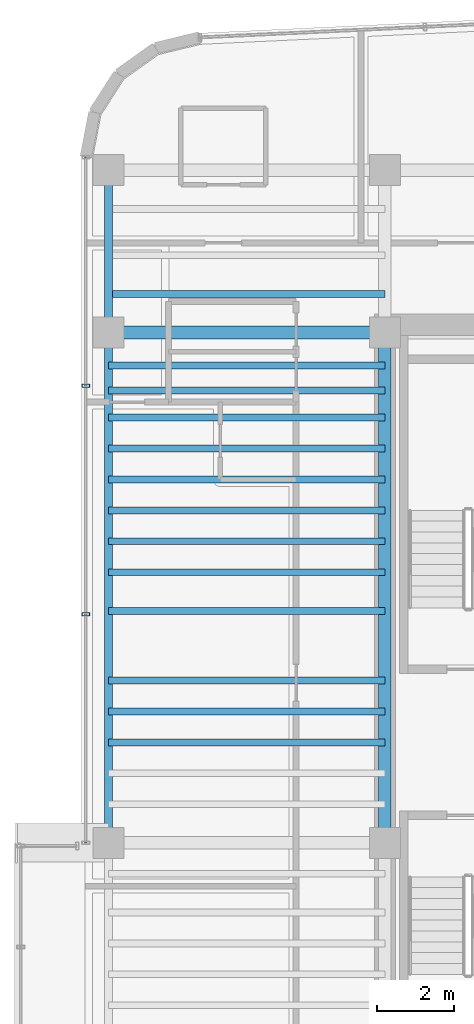
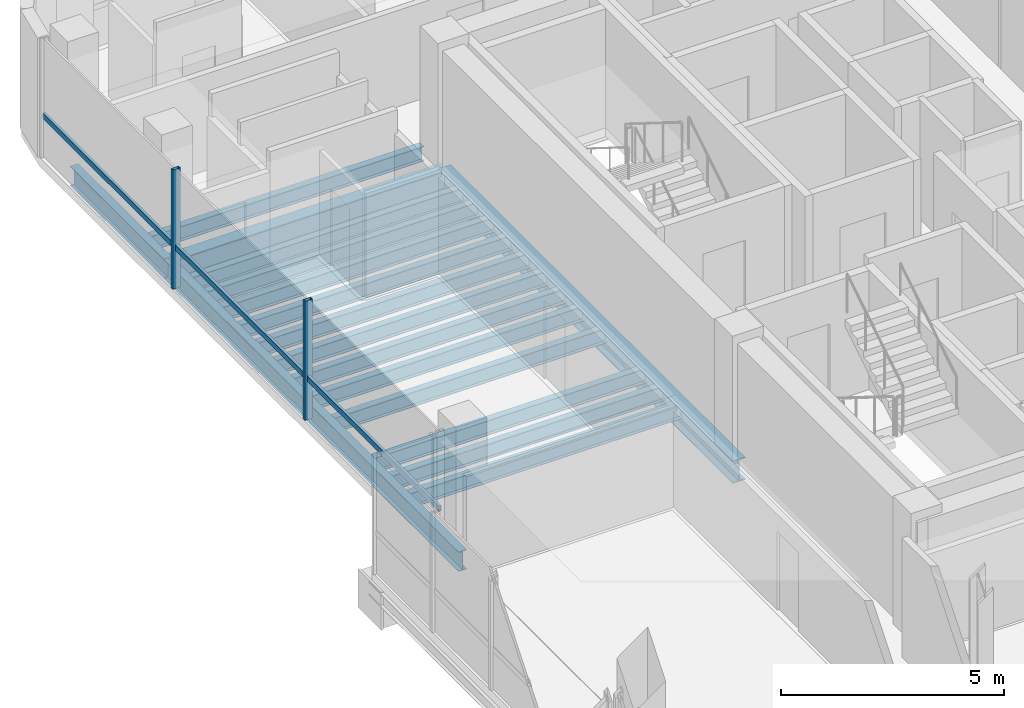
# One storey, part 6 of 19: 17 beams, 3 members, 1 element without a shape of its own.
"""IFC4 building model written with IfcOpenShell, lengths in metres."""

from ifc_helpers import new_model, si_unit, direction, frame, origin, origin_2d, place, context, subcontext, project, spatial, hollow_rectangle, i_section, extrude, source, transform, mapped, material, material_profile, profile_set, type_object, element, aggregate, save


model = new_model("IFC4")

# Units and contexts
model_context = context("Model", 3, precision=1e-05, world=origin(), true_north=direction((0.0, 1.0)))
body_context = subcontext(model_context, "Body", "Model", "MODEL_VIEW")
ifc_project = project(units=[si_unit("LENGTHUNIT", "METRE"), si_unit("AREAUNIT", "SQUARE_METRE"), si_unit("VOLUMEUNIT", "CUBIC_METRE"), si_unit("PLANEANGLEUNIT", "RADIAN"), si_unit("MASSUNIT", "GRAM", prefix="KILO")], contexts=[model_context])

# Site, building, storey
site_placement = place(None, origin())
site = spatial("IfcSite", under=ifc_project, at=site_placement, CompositionType="ELEMENT")
building_placement = place(site_placement, origin())
building = spatial("IfcBuilding", under=site, at=building_placement, Name="Valdorenza Pilgrim Sanctuary Tower", CompositionType="ELEMENT")
storey_placement = place(building_placement, frame((0.0, 0.0, 266.0)))
storey = spatial("IfcBuildingStorey", under=building, at=storey_placement, Name="L69", CompositionType="ELEMENT", Elevation=266.0)

# Beams
ifc_material_1 = material(Name="Steel ASTM A992 Grade 50", Category="steel")
ifc_material_profile_1 = material_profile(ifc_material_1, i_section(OverallWidth=0.323974609375, OverallDepth=0.611083984375, WebThickness=0.0126953125, FlangeThickness=0.01904296875, at=origin_2d()), Name="W24X104")
ifc_profile_set_1 = profile_set([ifc_material_profile_1], Name="Steel ASTM A992 Grade 50")
beam_type_1 = type_object("IfcBeamType", Name="STR-BM-GRD-W24B", PredefinedType="BEAM", material=ifc_profile_set_1)
shared_shape_1 = source(origin(), body_context, "Body", "SweptSolid", [
    extrude(i_section(OverallWidth=0.323974609375, OverallDepth=0.611083984375, WebThickness=0.0126953125, FlangeThickness=0.01904296875, at=origin_2d()), origin(), (0.0, 0.0, 1.0), 13.2001953125),
])
beam_1_placement = place(storey_placement, frame((-22.64990234375, -2.60009765625, -0.54541015625), z_axis=(0.0, 1.0, 0.0), x_axis=(-1.0, 0.0, 0.0)))
element("IfcBeam", 1, at=beam_1_placement, inside=storey, type_object=beam_type_1, Name="L69 Core Tie Girder CA-W-M0N1", PredefinedType="BEAM", context=body_context, shape_type="MappedRepresentation", body=[
    mapped(shared_shape_1, transform((0.0, 0.0, 0.0), x_axis=(1.0, 0.0, 0.0), y_axis=(0.0, 1.0, 0.0), z_axis=(0.0, 0.0, 1.0), scale=1.0)),
])
ifc_material_profile_2 = material_profile(ifc_material_1, i_section(OverallWidth=0.2109375, OverallDepth=0.5390625, WebThickness=0.01171875, FlangeThickness=0.018798828125, at=origin_2d()), Name="W21X73")
ifc_profile_set_2 = profile_set([ifc_material_profile_2], Name="Steel ASTM A992 Grade 50")
beam_type_2 = type_object("IfcBeamType", Name="STR-BM-SPN-W21B", PredefinedType="SPANDREL", material=ifc_profile_set_2)
shared_shape_2 = source(origin(), body_context, "Body", "SweptSolid", [
    extrude(i_section(OverallWidth=0.2109375, OverallDepth=0.5390625, WebThickness=0.01171875, FlangeThickness=0.018798828125, at=origin_2d()), origin(), (0.0, 0.0, 1.0), 13.2001953125),
])
beam_2_placement = place(storey_placement, frame((-29.800048828125, -2.60009765625, -0.509521484375), z_axis=(0.0, 1.0, 0.0), x_axis=(-1.0, 0.0, 0.0)))
element("IfcBeam", 2, at=beam_2_placement, inside=storey, type_object=beam_type_2, Name="L69 Spandrel Beam WA-W-M0N1", PredefinedType="SPANDREL", context=body_context, shape_type="MappedRepresentation", body=[
    mapped(shared_shape_2, transform((0.0, 0.0, 0.0), x_axis=(1.0, 0.0, 0.0), y_axis=(0.0, 1.0, 0.0), z_axis=(0.0, 0.0, 1.0), scale=1.0)),
])
shared_shape_3 = source(origin(), body_context, "Body", "SweptSolid", [
    extrude(i_section(OverallWidth=0.2109375, OverallDepth=0.5390625, WebThickness=0.01171875, FlangeThickness=0.018798828125, at=origin_2d()), origin(), (0.0, 0.0, 1.0), 4.199951171875),
])
beam_3_placement = place(storey_placement, frame((-29.800048828125, 10.60009765625, -0.509521484375), z_axis=(0.0, 1.0, 0.0), x_axis=(-1.0, 0.0, 0.0)))
element("IfcBeam", 3, at=beam_3_placement, inside=storey, type_object=beam_type_2, Name="L69 Spandrel Beam WA-W-N1N2", PredefinedType="SPANDREL", context=body_context, shape_type="MappedRepresentation", body=[
    mapped(shared_shape_3, transform((0.0, 0.0, 0.0), x_axis=(1.0, 0.0, 0.0), y_axis=(0.0, 1.0, 0.0), z_axis=(0.0, 0.0, 1.0), scale=1.0)),
])
ifc_material_profile_3 = material_profile(ifc_material_1, i_section(OverallWidth=0.177978515625, OverallDepth=0.406005859375, WebThickness=0.0078125, FlangeThickness=0.0126953125, at=origin_2d()), Name="W16X40")
ifc_profile_set_3 = profile_set([ifc_material_profile_3], Name="Steel ASTM A992 Grade 50")
beam_type_3 = type_object("IfcBeamType", Name="STR-BM-JST-W16", PredefinedType="JOIST", material=ifc_profile_set_3)
shared_shape_4 = source(origin(), body_context, "Body", "SweptSolid", [
    extrude(i_section(OverallWidth=0.177978515625, OverallDepth=0.406005859375, WebThickness=0.0078125, FlangeThickness=0.0126953125, at=origin_2d()), origin(), (0.0, 0.0, 1.0), 7.150146484375),
])
for number, where, z_axis, x_axis, name in (
    (4, (-29.800048828125, 0.0, -0.443115234375), (1.0, 0.0, 0.0), (0.0, 1.0, 0.0), "L69 Composite Floor Joist JST-WA-12"),
    (5, (-29.800048828125, 0.800048828125, -0.443115234375), (1.0, 0.0, 0.0), (0.0, 1.0, 0.0), "L69 Composite Floor Joist JST-WA-13"),
    (6, (-29.800048828125, 1.60009765625, -0.443115234375), (1.0, 0.0, 0.0), (0.0, 1.0, 0.0), "L69 Composite Floor Joist JST-WA-14"),
    (7, (-29.800048828125, 3.39990234375, -0.443115234375), (1.0, 0.0, 0.0), (0.0, 1.0, 0.0), "L69 Composite Floor Joist JST-WA-15"),
    (8, (-29.800048828125, 4.39990234375, -0.443115234375), (1.0, 0.0, 0.0), (0.0, 1.0, 0.0), "L69 Composite Floor Joist JST-WA-16"),
    (9, (-29.800048828125, 5.199951171875, -0.443115234375), (1.0, 0.0, 0.0), (0.0, 1.0, 0.0), "L69 Composite Floor Joist JST-WA-17"),
    (10, (-29.800048828125, 6.0, -0.443115234375), (1.0, 0.0, 0.0), (0.0, 1.0, 0.0), "L69 Composite Floor Joist JST-WA-18"),
    (11, (-29.800048828125, 6.800048828125, -0.443115234375), (1.0, 0.0, 0.0), (0.0, 1.0, 0.0), "L69 Composite Floor Joist JST-WA-19"),
    (12, (-29.800048828125, 7.60009765625, -0.443115234375), (1.0, 0.0, 0.0), (0.0, 1.0, 0.0), "L69 Composite Floor Joist JST-WA-20"),
    (13, (-29.800048828125, 8.39990234375, -0.443115234375), (1.0, 0.0, 0.0), (0.0, 1.0, 0.0), "L69 Composite Floor Joist JST-WA-21"),
    (14, (-29.800048828125, 9.10009765625, -0.443115234375), (1.0, 0.0, 0.0), (0.0, 1.0, 0.0), "L69 Composite Floor Joist JST-WA-22"),
    (15, (-29.800048828125, 9.75, -0.443115234375), (1.0, 0.0, 0.0), (0.0, 1.0, 0.0), "L69 Composite Floor Joist JST-WA-23"),
    (16, (-29.800048828125, 11.60009765625, -0.443115234375), (1.0, 0.0, 0.0), (0.0, 1.0, 0.0), "L69 Composite Floor Joist JST-WA-24"),
):
    element("IfcBeam", number, at=place(storey_placement, frame(where, z_axis=z_axis, x_axis=x_axis)), inside=storey, type_object=beam_type_3, Name=name, PredefinedType="JOIST", context=body_context, shape_type="MappedRepresentation", body=[
        mapped(shared_shape_4, transform((0.0, 0.0, 0.0), x_axis=(1.0, 0.0, 0.0), y_axis=(0.0, 1.0, 0.0), z_axis=(0.0, 0.0, 1.0), scale=1.0)),
    ])
ifc_material_profile_4 = material_profile(ifc_material_1, i_section(OverallWidth=0.326904296875, OverallDepth=0.6220703125, WebThickness=0.015380859375, FlangeThickness=0.0244140625, at=origin_2d()), Name="W24X131")
ifc_profile_set_4 = profile_set([ifc_material_profile_4], Name="Steel ASTM A992 Grade 50")
beam_type_4 = type_object("IfcBeamType", Name="STR-BM-GRD-W24A", PredefinedType="BEAM", material=ifc_profile_set_4)
shared_shape_5 = source(origin(), body_context, "Body", "SweptSolid", [
    extrude(i_section(OverallWidth=0.326904296875, OverallDepth=0.6220703125, WebThickness=0.015380859375, FlangeThickness=0.0244140625, at=origin_2d()), origin(), (0.0, 0.0, 1.0), 7.150146484375),
])
beam_4_placement = place(storey_placement, frame((-29.800048828125, 10.60009765625, -0.551025390625), z_axis=(1.0, 0.0, 0.0), x_axis=(0.0, 1.0, 0.0)))
element("IfcBeam", 17, at=beam_4_placement, inside=storey, type_object=beam_type_4, Name="L69 Floor Girder WA-XW-N1", PredefinedType="BEAM", context=body_context, shape_type="MappedRepresentation", body=[
    mapped(shared_shape_5, transform((0.0, 0.0, 0.0), x_axis=(1.0, 0.0, 0.0), y_axis=(0.0, 1.0, 0.0), z_axis=(0.0, 0.0, 1.0), scale=1.0)),
])

# Curtain wall, members
ifc_material_2 = material(Name="Curtain-wall IGU glazing", Category="glass")
curtain_wall_type = type_object("IfcCurtainWallType", Name="CW-SYS-02", PredefinedType="NOTDEFINED", material=ifc_material_2)
curtain_wall_placement = place(storey_placement, origin())
curtain_wall = element("IfcCurtainWall", 18, at=curtain_wall_placement, inside=storey, type_object=curtain_wall_type, Name="L69 Curtain Wall CW-L69-1-1S2", PredefinedType="NOTDEFINED")
ifc_material_3 = material(Name="Anodised aluminium AW-6060", Category="aluminium")
ifc_material_profile_5 = material_profile(ifc_material_3, hollow_rectangle(XDim=0.0849609375, YDim=0.199951171875, WallThickness=0.0048828125, at=origin_2d()), Name="ALU-M 200x85x5")
ifc_profile_set_5 = profile_set([ifc_material_profile_5], Name="Anodised aluminium AW-6060")
member_type_1 = type_object("IfcMemberType", Name="CW-MUL-02", PredefinedType="MULLION", material=ifc_profile_set_5)
shared_shape_6 = source(origin(), body_context, "Body", "SweptSolid", [
    extrude(hollow_rectangle(XDim=0.0849609375, YDim=0.199951171875, WallThickness=0.0048828125, at=origin_2d()), origin(), (0.0, 0.0, 1.0), 3.260009765625),
])
member_1_placement = place(storey_placement, frame((-30.389892578125, 3.312255859375, 0.0), z_axis=(0.0, 0.0, 1.0), x_axis=(0.0, 1.0, 0.0)))
member_1 = element("IfcMember", 19, at=member_1_placement, type_object=member_type_1, Name="CW-L69-1-1S2 Mullion 2", PredefinedType="MULLION", context=body_context, shape_type="MappedRepresentation", body=[
    mapped(shared_shape_6, transform((0.0, 0.0, 0.0), x_axis=(1.0, 0.0, 0.0), y_axis=(0.0, 1.0, 0.0), z_axis=(0.0, 0.0, 1.0), scale=1.0)),
])
member_2_placement = place(storey_placement, frame((-30.389892578125, 9.224609375, 0.0), z_axis=(0.0, 0.0, 1.0), x_axis=(0.0, 1.0, 0.0)))
member_2 = element("IfcMember", 20, at=member_2_placement, type_object=member_type_1, Name="CW-L69-1-1S2 Mullion 3", PredefinedType="MULLION", context=body_context, shape_type="MappedRepresentation", body=[
    mapped(shared_shape_6, transform((0.0, 0.0, 0.0), x_axis=(1.0, 0.0, 0.0), y_axis=(0.0, 1.0, 0.0), z_axis=(0.0, 0.0, 1.0), scale=1.0)),
])
ifc_material_profile_6 = material_profile(ifc_material_3, hollow_rectangle(XDim=0.074951171875, YDim=0.14990234375, WallThickness=0.00390625, at=origin_2d()), Name="ALU-T 150x75x4")
ifc_profile_set_6 = profile_set([ifc_material_profile_6], Name="Anodised aluminium AW-6060")
member_type_2 = type_object("IfcMemberType", Name="CW-TRN-02", PredefinedType="USERDEFINED", material=ifc_profile_set_6)
shared_shape_7 = source(origin(), body_context, "Body", "SweptSolid", [
    extrude(hollow_rectangle(XDim=0.074951171875, YDim=0.14990234375, WallThickness=0.00390625, at=origin_2d()), origin(), (0.0, 0.0, 1.0), 17.73681640625),
])
member_3_placement = place(storey_placement, frame((-30.389892578125, -2.60009765625, 1.1201171875), z_axis=(0.0, 1.0, 0.0), x_axis=(-1.0, 0.0, 0.0)))
member_3 = element("IfcMember", 21, at=member_3_placement, type_object=member_type_2, Name="CW-L69-1-1S2 Transom 1", ObjectType="TRANSOM", PredefinedType="USERDEFINED", context=body_context, shape_type="MappedRepresentation", body=[
    mapped(shared_shape_7, transform((0.0, 0.0, 0.0), x_axis=(1.0, 0.0, 0.0), y_axis=(0.0, 1.0, 0.0), z_axis=(0.0, 0.0, 1.0), scale=1.0)),
])
aggregate(curtain_wall, [member_1, member_2, member_3])

save(model, "model.ifc")
